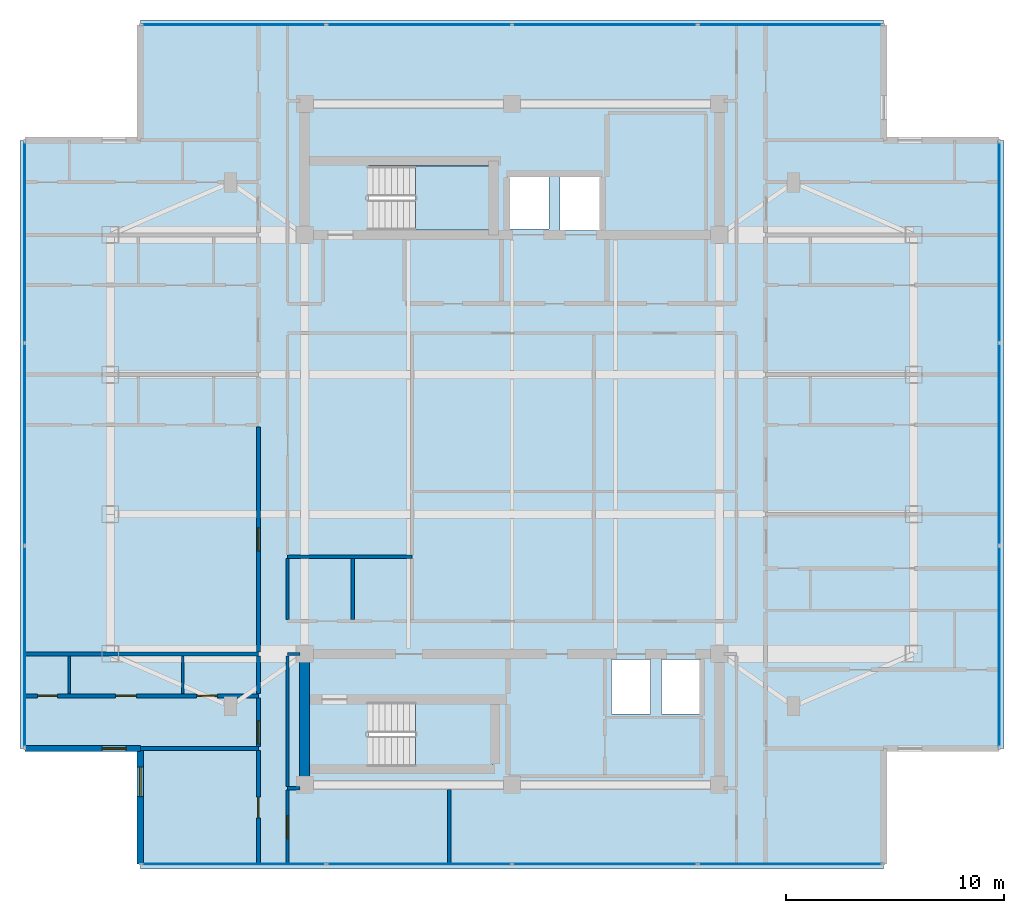
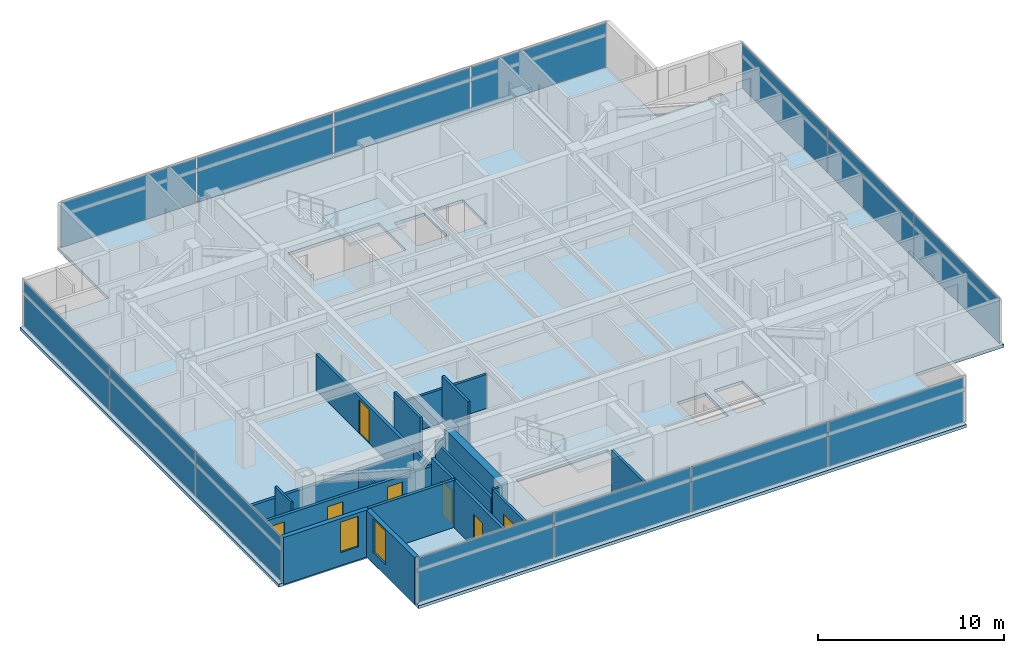
# One storey, part 7 of 14: 20 walls, 14 plates, 7 doors, 3 slabs, 2 windows, 9 openings, 6 elements without a shape of their own.
"""IFC4 building model written with IfcOpenShell, lengths in metres."""

from ifc_helpers import new_model, si_unit, direction, frame, frame_2d, origin, origin_2d, place, context, subcontext, project, spatial, polyline, rectangle, outline, extrude, material, layer, layer_set, type_object, element, fill, aggregate, save


model = new_model("IFC4")

# Units and contexts
model_context = context("Model", 3, precision=1e-05, world=origin(), true_north=direction((0.0, 1.0)))
body_context = subcontext(model_context, "Body", "Model", "MODEL_VIEW")
ifc_project = project(units=[si_unit("LENGTHUNIT", "METRE"), si_unit("AREAUNIT", "SQUARE_METRE"), si_unit("VOLUMEUNIT", "CUBIC_METRE"), si_unit("PLANEANGLEUNIT", "RADIAN"), si_unit("MASSUNIT", "GRAM", prefix="KILO")], contexts=[model_context])

# Site, building, storey
site_placement = place(None, origin())
site = spatial("IfcSite", under=ifc_project, at=site_placement, CompositionType="ELEMENT")
building_placement = place(site_placement, origin())
building = spatial("IfcBuilding", under=site, at=building_placement, Name="Mirazonda Arch Towers", CompositionType="ELEMENT")
storey_placement = place(building_placement, frame((0.0, 0.0, 245.800048828125)))
storey = spatial("IfcBuildingStorey", under=building, at=storey_placement, Name="L70", CompositionType="ELEMENT", Elevation=245.800048828125)

# Curtain wall, plates
ifc_material_1 = material(Name="Anodised Aluminium and Low-E Glass", Category="aluminium")
curtain_wall_type = type_object("IfcCurtainWallType", Name="CW-RES-UNIT", PredefinedType="NOTDEFINED", material=ifc_material_1)
curtain_wall_1_placement = place(storey_placement, origin())
curtain_wall_1 = element("IfcCurtainWall", 1, at=curtain_wall_1_placement, inside=storey, type_object=curtain_wall_type, Name="L70 T1 S Facade CW-L70-T1-S", PredefinedType="NOTDEFINED")
ifc_material_2 = material(Name="Insulated Low-E Solar Glass", Category="glass")
ifc_layer_1 = layer(ifc_material_2, 0.0400390625, Name="PAN-CW-RES-UNIT")
ifc_layer_set_1 = layer_set([ifc_layer_1], Name="Insulated Low-E Solar Glass")
plate_type = type_object("IfcPlateType", Name="PAN-CW-RES-UNIT", PredefinedType="CURTAIN_PANEL", material=ifc_layer_set_1)
plate_1_placement = place(storey_placement, frame((33.253662109375, 8.77587890625, 0.0751953125), z_axis=(0.0, 0.0, 1.0), x_axis=(-1.0, 0.0, 0.0)))
plate_1 = element("IfcPlate", 2, at=plate_1_placement, type_object=plate_type, Name="CW-104 panel 1.1", PredefinedType="CURTAIN_PANEL", context=body_context, shape_type="SweptSolid", body=[
    extrude(rectangle(XDim=8.402587890625, YDim=0.0400390625, at=origin_2d()), origin(), (0.0, 0.0, 1.0), 2.929931640625),
])
plate_2_placement = place(storey_placement, frame((24.757568359375, 8.77587890625, 0.0751953125), z_axis=(0.0, 0.0, 1.0), x_axis=(-1.0, 0.0, 0.0)))
plate_2 = element("IfcPlate", 3, at=plate_2_placement, type_object=plate_type, Name="CW-104 panel 2.1", PredefinedType="CURTAIN_PANEL", context=body_context, shape_type="SweptSolid", body=[
    extrude(rectangle(XDim=8.43994140625, YDim=0.0400390625, at=origin_2d()), origin(), (0.0, 0.0, 1.0), 2.929931640625),
])
plate_3_placement = place(storey_placement, frame((16.242431640625, 8.77587890625, 0.0751953125), z_axis=(0.0, 0.0, 1.0), x_axis=(-1.0, 0.0, 0.0)))
plate_3 = element("IfcPlate", 4, at=plate_3_placement, type_object=plate_type, Name="CW-104 panel 3.1", PredefinedType="CURTAIN_PANEL", context=body_context, shape_type="SweptSolid", body=[
    extrude(rectangle(XDim=8.43994140625, YDim=0.0400390625, at=origin_2d()), origin(), (0.0, 0.0, 1.0), 2.929931640625),
])
plate_4_placement = place(storey_placement, frame((7.746337890625, 8.77587890625, 0.0751953125), z_axis=(0.0, 0.0, 1.0), x_axis=(-1.0, 0.0, 0.0)))
plate_4 = element("IfcPlate", 5, at=plate_4_placement, type_object=plate_type, Name="CW-104 panel 4.1", PredefinedType="CURTAIN_PANEL", context=body_context, shape_type="SweptSolid", body=[
    extrude(rectangle(XDim=8.402587890625, YDim=0.0400390625, at=origin_2d()), origin(), (0.0, 0.0, 1.0), 2.929931640625),
])
aggregate(curtain_wall_1, [plate_1, plate_2, plate_3, plate_4])

curtain_wall_2_placement = place(storey_placement, origin())
curtain_wall_2 = element("IfcCurtainWall", 6, at=curtain_wall_2_placement, inside=storey, type_object=curtain_wall_type, Name="L70 T1 E Facade CW-L70-T1-E", PredefinedType="NOTDEFINED")
plate_5_placement = place(storey_placement, frame((42.820068359375, 18.7294921875, 0.0751953125), z_axis=(0.0, 0.0, 1.0), x_axis=(0.0, 1.0, 0.0)))
plate_5 = element("IfcPlate", 7, at=plate_5_placement, type_object=plate_type, Name="CW-104 panel 1.1", PredefinedType="CURTAIN_PANEL", context=body_context, shape_type="SweptSolid", body=[
    extrude(rectangle(XDim=9.1767578125, YDim=0.0400390625, at=origin_2d()), origin(), (0.0, 0.0, 1.0), 2.929931640625),
])
plate_6_placement = place(storey_placement, frame((42.820068359375, 28.0, 0.0751953125), z_axis=(0.0, 0.0, 1.0), x_axis=(0.0, 1.0, 0.0)))
plate_6 = element("IfcPlate", 8, at=plate_6_placement, type_object=plate_type, Name="CW-104 panel 2.1", PredefinedType="CURTAIN_PANEL", context=body_context, shape_type="SweptSolid", body=[
    extrude(rectangle(XDim=9.21435546875, YDim=0.0400390625, at=origin_2d()), origin(), (0.0, 0.0, 1.0), 2.929931640625),
])
plate_7_placement = place(storey_placement, frame((42.820068359375, 37.2705078125, 0.0751953125), z_axis=(0.0, 0.0, 1.0), x_axis=(0.0, 1.0, 0.0)))
plate_7 = element("IfcPlate", 9, at=plate_7_placement, type_object=plate_type, Name="CW-104 panel 3.1", PredefinedType="CURTAIN_PANEL", context=body_context, shape_type="SweptSolid", body=[
    extrude(rectangle(XDim=9.1767578125, YDim=0.0400390625, at=origin_2d()), origin(), (0.0, 0.0, 1.0), 2.929931640625),
])
aggregate(curtain_wall_2, [plate_5, plate_6, plate_7])

curtain_wall_3_placement = place(storey_placement, origin())
curtain_wall_3 = element("IfcCurtainWall", 10, at=curtain_wall_3_placement, inside=storey, type_object=curtain_wall_type, Name="L70 T1 N Facade CW-L70-T1-N", PredefinedType="NOTDEFINED")
plate_8_placement = place(storey_placement, frame((7.746337890625, 47.22412109375, 0.0751953125), z_axis=(0.0, 0.0, 1.0), x_axis=(1.0, 0.0, 0.0)))
plate_8 = element("IfcPlate", 11, at=plate_8_placement, type_object=plate_type, Name="CW-104 panel 1.1", PredefinedType="CURTAIN_PANEL", context=body_context, shape_type="SweptSolid", body=[
    extrude(rectangle(XDim=8.402587890625, YDim=0.0400390625, at=origin_2d()), origin(), (0.0, 0.0, 1.0), 2.929931640625),
])
plate_9_placement = place(storey_placement, frame((16.242431640625, 47.22412109375, 0.0751953125), z_axis=(0.0, 0.0, 1.0), x_axis=(1.0, 0.0, 0.0)))
plate_9 = element("IfcPlate", 12, at=plate_9_placement, type_object=plate_type, Name="CW-104 panel 2.1", PredefinedType="CURTAIN_PANEL", context=body_context, shape_type="SweptSolid", body=[
    extrude(rectangle(XDim=8.43994140625, YDim=0.0400390625, at=origin_2d()), origin(), (0.0, 0.0, 1.0), 2.929931640625),
])
plate_10_placement = place(storey_placement, frame((24.757568359375, 47.22412109375, 0.0751953125), z_axis=(0.0, 0.0, 1.0), x_axis=(1.0, 0.0, 0.0)))
plate_10 = element("IfcPlate", 13, at=plate_10_placement, type_object=plate_type, Name="CW-104 panel 3.1", PredefinedType="CURTAIN_PANEL", context=body_context, shape_type="SweptSolid", body=[
    extrude(rectangle(XDim=8.43994140625, YDim=0.0400390625, at=origin_2d()), origin(), (0.0, 0.0, 1.0), 2.929931640625),
])
plate_11_placement = place(storey_placement, frame((33.253662109375, 47.22412109375, 0.0751953125), z_axis=(0.0, 0.0, 1.0), x_axis=(1.0, 0.0, 0.0)))
plate_11 = element("IfcPlate", 14, at=plate_11_placement, type_object=plate_type, Name="CW-104 panel 4.1", PredefinedType="CURTAIN_PANEL", context=body_context, shape_type="SweptSolid", body=[
    extrude(rectangle(XDim=8.402587890625, YDim=0.0400390625, at=origin_2d()), origin(), (0.0, 0.0, 1.0), 2.929931640625),
])
aggregate(curtain_wall_3, [plate_8, plate_9, plate_10, plate_11])

curtain_wall_4_placement = place(storey_placement, origin())
curtain_wall_4 = element("IfcCurtainWall", 15, at=curtain_wall_4_placement, inside=storey, type_object=curtain_wall_type, Name="L70 T1 W Facade CW-L70-T1-W", PredefinedType="NOTDEFINED")
plate_12_placement = place(storey_placement, frame((-1.820068359375, 37.2705078125, 0.0751953125), z_axis=(0.0, 0.0, 1.0), x_axis=(0.0, -1.0, 0.0)))
plate_12 = element("IfcPlate", 16, at=plate_12_placement, type_object=plate_type, Name="CW-104 panel 1.1", PredefinedType="CURTAIN_PANEL", context=body_context, shape_type="SweptSolid", body=[
    extrude(rectangle(XDim=9.1767578125, YDim=0.0400390625, at=origin_2d()), origin(), (0.0, 0.0, 1.0), 2.929931640625),
])
plate_13_placement = place(storey_placement, frame((-1.820068359375, 28.0, 0.0751953125), z_axis=(0.0, 0.0, 1.0), x_axis=(0.0, -1.0, 0.0)))
plate_13 = element("IfcPlate", 17, at=plate_13_placement, type_object=plate_type, Name="CW-104 panel 2.1", PredefinedType="CURTAIN_PANEL", context=body_context, shape_type="SweptSolid", body=[
    extrude(rectangle(XDim=9.21435546875, YDim=0.0400390625, at=origin_2d()), origin(), (0.0, 0.0, 1.0), 2.929931640625),
])
plate_14_placement = place(storey_placement, frame((-1.820068359375, 18.7294921875, 0.0751953125), z_axis=(0.0, 0.0, 1.0), x_axis=(0.0, -1.0, 0.0)))
plate_14 = element("IfcPlate", 18, at=plate_14_placement, type_object=plate_type, Name="CW-104 panel 3.1", PredefinedType="CURTAIN_PANEL", context=body_context, shape_type="SweptSolid", body=[
    extrude(rectangle(XDim=9.1767578125, YDim=0.0400390625, at=origin_2d()), origin(), (0.0, 0.0, 1.0), 2.929931640625),
])
aggregate(curtain_wall_4, [plate_12, plate_13, plate_14])

# Stair, slab
ifc_material_3 = material(Name="Concrete C40/50", Category="concrete")
stair_type = type_object("IfcStairType", Name="STAIR-CORE-1400", PredefinedType="HALF_TURN_STAIR", material=ifc_material_3)
stair_1_placement = place(storey_placement, origin())
stair_1 = element("IfcStair", 19, at=stair_1_placement, inside=storey, type_object=stair_type, Name="L70 Protected Exit Stair ST-T1N", PredefinedType="HALF_TURN_STAIR")
ifc_layer_2 = layer(ifc_material_3, 0.18994140625, Name="SLAB-LANDING-190")
ifc_layer_set_2 = layer_set([ifc_layer_2], Name="Concrete C40/50")
slab_type_1 = type_object("IfcSlabType", Name="SLAB-LANDING-190", PredefinedType="LANDING", material=ifc_layer_set_2)
slab_1_placement = place(storey_placement, frame((0.0, 0.0, 1.449951171875)))
slab_1 = element("IfcSlab", 20, at=slab_1_placement, type_object=slab_type_1, Name="ST-T1N landing 1", PredefinedType="LANDING", context=body_context, shape_type="SweptSolid", body=[
    extrude(outline(polyline([(16.090087890625, 37.820068359375), (19.60009765625, 37.820068359375), (19.60009765625, 40.760009765625), (16.090087890625, 40.760009765625), (16.090087890625, 37.820068359375)])), origin(), (0.0, 0.0, 1.0), 0.199951171875),
])
aggregate(stair_1, [slab_1])

stair_2_placement = place(storey_placement, origin())
stair_2 = element("IfcStair", 21, at=stair_2_placement, inside=storey, type_object=stair_type, Name="L70 Protected Exit Stair ST-T1S", PredefinedType="HALF_TURN_STAIR")
slab_2_placement = place(storey_placement, frame((0.0, 0.0, 1.449951171875)))
slab_2 = element("IfcSlab", 22, at=slab_2_placement, type_object=slab_type_1, Name="ST-T1S landing 1", PredefinedType="LANDING", context=body_context, shape_type="SweptSolid", body=[
    extrude(outline(polyline([(16.090087890625, 13.25), (19.60009765625, 13.25), (19.60009765625, 16.18994140625), (16.090087890625, 16.18994140625), (16.090087890625, 13.25)])), origin(), (0.0, 0.0, 1.0), 0.199951171875),
])
aggregate(stair_2, [slab_2])

# Slab
ifc_layer_3 = layer(ifc_material_3, 0.199951171875, Name="SLAB-TWR-200")
ifc_layer_set_3 = layer_set([ifc_layer_3], Name="Concrete C40/50")
slab_type_2 = type_object("IfcSlabType", Name="SLAB-TWR-200", PredefinedType="FLOOR", material=ifc_layer_set_3)
slab_3_placement = place(storey_placement, frame((0.0, 0.0, -0.199951171875)))
element("IfcSlab", 23, at=slab_3_placement, inside=storey, type_object=slab_type_2, Name="L70 Tower 1 Floor Slab", PredefinedType="FLOOR", context=body_context, shape_type="SweptSolid", body=[
    extrude(outline(polyline([(3.469970703125, 8.555908203125), (37.530029296875, 8.555908203125), (37.530029296875, 14.06591796875), (43.0400390625, 14.06591796875), (43.0400390625, 41.93408203125), (37.530029296875, 41.93408203125), (37.530029296875, 47.444091796875), (3.469970703125, 47.444091796875), (3.469970703125, 41.93408203125), (-2.0400390625, 41.93408203125), (-2.0400390625, 14.06591796875), (3.469970703125, 14.06591796875), (3.469970703125, 8.555908203125)]), holes=[polyline([(27.360107421875, 18.139892578125), (29.139892578125, 18.139892578125), (29.139892578125, 15.659912109375), (27.360107421875, 15.659912109375), (27.360107421875, 18.139892578125)]), polyline([(25.06005859375, 18.139892578125), (26.840087890625, 18.139892578125), (26.840087890625, 15.659912109375), (25.06005859375, 15.659912109375), (25.06005859375, 18.139892578125)]), polyline([(22.7099609375, 40.389892578125), (24.590087890625, 40.389892578125), (24.590087890625, 37.81005859375), (22.7099609375, 37.81005859375), (22.7099609375, 40.389892578125)]), polyline([(20.31005859375, 37.860107421875), (20.31005859375, 40.340087890625), (22.18994140625, 40.340087890625), (22.18994140625, 37.860107421875), (20.31005859375, 37.860107421875)]), polyline([(19.60009765625, 13.25), (13.925048828125, 13.25), (13.925048828125, 16.18994140625), (19.60009765625, 16.18994140625), (19.60009765625, 13.25)]), polyline([(13.925048828125, 37.820068359375), (13.925048828125, 40.760009765625), (19.60009765625, 40.760009765625), (19.60009765625, 37.820068359375), (13.925048828125, 37.820068359375)])]), origin(), (0.0, 0.0, 1.0), 0.199951171875),
])

# Wall
ifc_material_4 = material(Name="Concrete C50/60", Category="concrete")
ifc_layer_4 = layer(ifc_material_4, 0.449951171875, Name="WALL-CORE-450")
ifc_layer_set_4 = layer_set([ifc_layer_4], Name="Concrete C50/60")
wall_type_1 = type_object("IfcWallType", Name="WALL-CORE-450", PredefinedType="SHEAR", material=ifc_layer_set_4)
wall_1_placement = place(storey_placement, frame((11.0, 12.39990234375, 0.0), z_axis=(0.0, 0.0, 1.0), x_axis=(0.0, 1.0, 0.0)))
element("IfcWall", 24, at=wall_1_placement, inside=storey, type_object=wall_type_1, Name="L70 T1S-W Core Shear Wall", PredefinedType="SHEAR", context=body_context, shape_type="SweptSolid", body=[
    extrude(rectangle(XDim=6.0, YDim=0.449951171875, at=frame_2d((3.0, 0.0))), origin(), (0.0, 0.0, 1.0), 3.099853515625),
])

# Wall, opening, window
ifc_material_5 = material(Name="Precast Concrete C40/50", Category="concrete")
ifc_layer_5 = layer(ifc_material_5, 0.280029296875, Name="WALL-EXT-WALL-280")
ifc_layer_set_5 = layer_set([ifc_layer_5], Name="Precast Concrete C40/50")
wall_type_2 = type_object("IfcWallType", Name="WALL-EXT-WALL-280", PredefinedType="SOLIDWALL", material=ifc_layer_set_5)
wall_2_placement = place(storey_placement, frame((3.469970703125, 14.06591796875, 0.0), z_axis=(0.0, 0.0, 1.0), x_axis=(0.0, -1.0, 0.0)))
wall_2 = element("IfcWall", 25, at=wall_2_placement, inside=storey, type_object=wall_type_2, Name="L70 T1 Notched SW Corner Wall WL-L70-T1-CSW", PredefinedType="SOLIDWALL", context=body_context, shape_type="SweptSolid", body=[
    extrude(rectangle(XDim=5.2900390625, YDim=0.280029296875, at=frame_2d((2.64501953125, 0.0))), origin(), (0.0, 0.0, 1.0), 3.079833984375),
])
opening_1_placement = place(wall_2_placement, frame((0.85009765625, 0.0, 0.72998046875)))
opening_1 = element("IfcOpeningElement", 26, at=opening_1_placement, cuts=wall_2, Name="Opening WN-104", PredefinedType="OPENING", context=body_context, shape_type="SweptSolid", body=[
    extrude(rectangle(XDim=1.35009765625, YDim=2.199951171875, at=frame_2d((0.675048828125, 1.10009765625))), frame((0.0, 0.14990234375, 0.0), z_axis=(0.0, -1.0, 0.0), x_axis=(1.0, 0.0, 0.0)), (0.0, 0.0, 1.0), 0.300048828125),
])
window_type_1 = type_object("IfcWindowType", Name="WIN-RES-1350x2200", PartitioningType="SINGLE_PANEL", PredefinedType="WINDOW", material=ifc_material_2)
window_1_placement = place(opening_1_placement, origin())
window_1 = element("IfcWindow", 27, at=window_1_placement, inside=storey, type_object=window_type_1, Name="L70 Punched Facade Window WN-L70-T1-CSW", OverallHeight=2.199951171875, OverallWidth=1.35009765625, PartitioningType="SINGLE_PANEL", PredefinedType="WINDOW", context=body_context, shape_type="SweptSolid", body=[
    extrude(rectangle(XDim=1.35009765625, YDim=2.199951171875, at=frame_2d((0.675048828125, 1.10009765625))), frame((0.0, 0.030029296875, 0.0), z_axis=(0.0, -1.0, 0.0), x_axis=(1.0, 0.0, 0.0)), (0.0, 0.0, 1.0), 0.06005859375),
])
fill(opening_1, window_1)

wall_3_placement = place(storey_placement, frame((-1.820068359375, 14.06591796875, 0.0), z_axis=(0.0, 0.0, 1.0), x_axis=(1.0, 0.0, 0.0)))
wall_3 = element("IfcWall", 28, at=wall_3_placement, inside=storey, type_object=wall_type_2, Name="L70 T1 Corner Notch Return Wall WL-L70-T1-CSW2", PredefinedType="SOLIDWALL", context=body_context, shape_type="SweptSolid", body=[
    extrude(rectangle(XDim=5.2900390625, YDim=0.280029296875, at=frame_2d((2.64501953125, 0.0))), origin(), (0.0, 0.0, 1.0), 3.079833984375),
])
opening_2_placement = place(wall_3_placement, frame((3.5400390625, 0.0, 0.85009765625)))
opening_2 = element("IfcOpeningElement", 29, at=opening_2_placement, cuts=wall_3, Name="Opening WN-108", PredefinedType="OPENING", context=body_context, shape_type="SweptSolid", body=[
    extrude(rectangle(XDim=1.10009765625, YDim=2.0, at=frame_2d((0.550048828125, 1.0))), frame((0.0, 0.14990234375, 0.0), z_axis=(0.0, -1.0, 0.0), x_axis=(1.0, 0.0, 0.0)), (0.0, 0.0, 1.0), 0.300048828125),
])
window_type_2 = type_object("IfcWindowType", Name="WIN-NOTCH-1100x2000", PartitioningType="SINGLE_PANEL", PredefinedType="WINDOW", material=ifc_material_2)
window_2_placement = place(opening_2_placement, origin())
window_2 = element("IfcWindow", 30, at=window_2_placement, inside=storey, type_object=window_type_2, Name="L70 Punched Facade Window WN-L70-T1-CSW2", OverallHeight=2.0, OverallWidth=1.10009765625, PartitioningType="SINGLE_PANEL", PredefinedType="WINDOW", context=body_context, shape_type="SweptSolid", body=[
    extrude(rectangle(XDim=1.10009765625, YDim=2.0, at=frame_2d((0.550048828125, 1.0))), frame((0.0, 0.030029296875, 0.0), z_axis=(0.0, -1.0, 0.0), x_axis=(1.0, 0.0, 0.0)), (0.0, 0.0, 1.0), 0.06005859375),
])
fill(opening_2, window_2)

# Walls
ifc_material_6 = material(Name="Fire-Rated Gypsum Stud Partition")
ifc_layer_6 = layer(ifc_material_6, 0.14990234375, Name="WALL-PART-CORR-150")
ifc_layer_set_6 = layer_set([ifc_layer_6], Name="Fire-Rated Gypsum Stud Partition")
wall_type_3 = type_object("IfcWallType", Name="WALL-PART-CORR-150", PredefinedType="PARTITIONING", material=ifc_layer_set_6)
wall_4_placement = place(storey_placement, frame((10.219970703125, 12.25, 0.0), z_axis=(0.0, 0.0, 1.0), x_axis=(1.0, 0.0, 0.0)))
element("IfcWall", 31, at=wall_4_placement, inside=storey, type_object=wall_type_3, Name="L70 Interior Partition 001", PredefinedType="PARTITIONING", context=body_context, shape_type="SweptSolid", body=[
    extrude(rectangle(XDim=0.56005859375, YDim=0.14990234375, at=frame_2d((0.280029296875, 0.0))), origin(), (0.0, 0.0, 1.0), 3.099853515625),
])
wall_5_placement = place(storey_placement, frame((10.219970703125, 18.39990234375, 0.0), z_axis=(0.0, 0.0, 1.0), x_axis=(1.0, 0.0, 0.0)))
element("IfcWall", 32, at=wall_5_placement, inside=storey, type_object=wall_type_3, Name="L70 Interior Partition 012", PredefinedType="PARTITIONING", context=body_context, shape_type="SweptSolid", body=[
    extrude(rectangle(XDim=0.56005859375, YDim=0.14990234375, at=frame_2d((0.280029296875, 0.0))), origin(), (0.0, 0.0, 1.0), 2.491943359375),
])
wall_6_placement = place(storey_placement, frame((10.219970703125, 22.85009765625, 0.0), z_axis=(0.0, 0.0, 1.0), x_axis=(1.0, 0.0, 0.0)))
element("IfcWall", 33, at=wall_6_placement, inside=storey, type_object=wall_type_3, Name="L70 Interior Partition 017", PredefinedType="PARTITIONING", context=body_context, shape_type="SweptSolid", body=[
    extrude(rectangle(XDim=5.7099609375, YDim=0.14990234375, at=frame_2d((2.85498046875, 0.0))), origin(), (0.0, 0.0, 1.0), 2.23583984375),
])

# Wall, opening, door
wall_7_placement = place(storey_placement, frame((10.219970703125, 8.77587890625, 0.0), z_axis=(0.0, 0.0, 1.0), x_axis=(0.0, 1.0, 0.0)))
wall_7 = element("IfcWall", 34, at=wall_7_placement, inside=storey, type_object=wall_type_3, Name="L70 Interior Partition 057", PredefinedType="PARTITIONING", context=body_context, shape_type="SweptSolid", body=[
    extrude(rectangle(XDim=3.38916015625, YDim=0.14990234375, at=frame_2d((1.694580078125, 0.0))), origin(), (0.0, 0.0, 1.0), 3.099853515625),
])
opening_3_placement = place(wall_7_placement, frame((1.16943359375, 0.0, 0.0)))
opening_3 = element("IfcOpeningElement", 35, at=opening_3_placement, cuts=wall_7, Name="Opening DR-121", PredefinedType="OPENING", context=body_context, shape_type="SweptSolid", body=[
    extrude(rectangle(XDim=1.050048828125, YDim=2.199951171875, at=frame_2d((0.52490234375, 1.10009765625))), frame((0.0, 0.0849609375, 0.0), z_axis=(0.0, -1.0, 0.0), x_axis=(1.0, 0.0, 0.0)), (0.0, 0.0, 1.0), 0.169921875),
])
ifc_material_7 = material(Name="Architectural Brushed Steel S355", Category="steel")
door_type_1 = type_object("IfcDoorType", Name="DOOR-SUITE-FD60-1050", OperationType="NOTDEFINED", PredefinedType="DOOR", material=ifc_material_7)
door_1_placement = place(opening_3_placement, origin())
door_1 = element("IfcDoor", 36, at=door_1_placement, inside=storey, type_object=door_type_1, Name="L70 South Panoramic Study Minor Door", OperationType="SINGLE_SWING_RIGHT", OverallHeight=2.199951171875, OverallWidth=1.050048828125, PredefinedType="DOOR", context=body_context, shape_type="SweptSolid", body=[
    extrude(rectangle(XDim=1.050048828125, YDim=2.199951171875, at=frame_2d((0.52490234375, 1.10009765625))), frame((0.0, 0.02490234375, 0.0), z_axis=(0.0, -1.0, 0.0), x_axis=(1.0, 0.0, 0.0)), (0.0, 0.0, 1.0), 0.050048828125),
])
fill(opening_3, door_1)

# Walls
wall_8_placement = place(storey_placement, frame((10.219970703125, 12.3349609375, 0.0), z_axis=(0.0, 0.0, 1.0), x_axis=(0.0, 1.0, 0.0)))
element("IfcWall", 37, at=wall_8_placement, inside=storey, type_object=wall_type_3, Name="L70 Interior Partition 058", PredefinedType="PARTITIONING", context=body_context, shape_type="SweptSolid", body=[
    extrude(rectangle(XDim=5.97998046875, YDim=0.14990234375, at=frame_2d((2.989990234375, 0.0))), origin(), (0.0, 0.0, 1.0), 2.491943359375),
])
for number, where, z_axis, x_axis, name in (
    (38, (10.219970703125, 19.985107421875, 0.0), (0.0, 0.0, 1.0), (0.0, 1.0, 0.0), "L70 Interior Partition 059"),
    (39, (13.199951171875, 19.985107421875, 0.0), (0.0, 0.0, 1.0), (0.0, 1.0, 0.0), "L70 Interior Partition 064"),
):
    element("IfcWall", number, at=place(storey_placement, frame(where, z_axis=z_axis, x_axis=x_axis)), inside=storey, type_object=wall_type_3, Name=name, PredefinedType="PARTITIONING", context=body_context, shape_type="SweptSolid", body=[
        extrude(rectangle(XDim=2.77978515625, YDim=0.14990234375, at=frame_2d((1.389892578125, 0.0))), origin(), (0.0, 0.0, 1.0), 3.099853515625),
    ])
wall_9_placement = place(storey_placement, frame((17.6220703125, 8.77587890625, 0.0), z_axis=(0.0, 0.0, 1.0), x_axis=(0.0, 1.0, 0.0)))
element("IfcWall", 40, at=wall_9_placement, inside=storey, type_object=wall_type_3, Name="L70 Interior Partition 069", PredefinedType="PARTITIONING", context=body_context, shape_type="SweptSolid", body=[
    extrude(rectangle(XDim=3.404052734375, YDim=0.14990234375, at=frame_2d((1.7021484375, 0.0))), origin(), (0.0, 0.0, 1.0), 3.099853515625),
])
ifc_material_8 = material(Name="Fire-Rated Gypsum Twin-Stud Assembly")
ifc_layer_7 = layer(ifc_material_8, 0.179931640625, Name="WALL-PART-DEMISE-180")
ifc_layer_set_7 = layer_set([ifc_layer_7], Name="Fire-Rated Gypsum Twin-Stud Assembly")
wall_type_4 = type_object("IfcWallType", Name="WALL-PART-DEMISE-180", PredefinedType="PARTITIONING", material=ifc_layer_set_7)
wall_10_placement = place(storey_placement, frame((3.489990234375, 14.06591796875, 0.0), z_axis=(0.0, 0.0, 1.0), x_axis=(1.0, 0.0, 0.0)))
element("IfcWall", 41, at=wall_10_placement, inside=storey, type_object=wall_type_4, Name="L70 Interior Partition 005", PredefinedType="PARTITIONING", context=body_context, shape_type="SweptSolid", body=[
    extrude(rectangle(XDim=5.389892578125, YDim=0.179931640625, at=frame_2d((2.69482421875, 0.0))), origin(), (0.0, 0.0, 1.0), 3.099853515625),
])

# Wall, openings, doors
wall_11_placement = place(storey_placement, frame((-1.820068359375, 16.47998046875, 0.0), z_axis=(0.0, 0.0, 1.0), x_axis=(1.0, 0.0, 0.0)))
wall_11 = element("IfcWall", 42, at=wall_11_placement, inside=storey, type_object=wall_type_4, Name="L70 Interior Partition 009", PredefinedType="PARTITIONING", context=body_context, shape_type="SweptSolid", body=[
    extrude(rectangle(XDim=10.699951171875, YDim=0.179931640625, at=frame_2d((5.35009765625, 0.0))), origin(), (0.0, 0.0, 1.0), 2.54296875),
])
opening_4_placement = place(wall_11_placement, frame((4.1630859375, 0.0, 0.0)))
opening_4 = element("IfcOpeningElement", 43, at=opening_4_placement, cuts=wall_11, Name="Opening DR-104", PredefinedType="OPENING", context=body_context, shape_type="SweptSolid", body=[
    extrude(rectangle(XDim=0.949951171875, YDim=2.14990234375, at=frame_2d((0.47509765625, 1.074951171875))), frame((0.0, 0.099853515625, 0.0), z_axis=(0.0, -1.0, 0.0), x_axis=(1.0, 0.0, 0.0)), (0.0, 0.0, 1.0), 0.199951171875),
])
opening_5_placement = place(wall_11_placement, frame((7.873046875, 0.0, 0.0)))
opening_5 = element("IfcOpeningElement", 44, at=opening_5_placement, cuts=wall_11, Name="Opening DR-104", PredefinedType="OPENING", context=body_context, shape_type="SweptSolid", body=[
    extrude(rectangle(XDim=0.949951171875, YDim=2.14990234375, at=frame_2d((0.47509765625, 1.074951171875))), frame((0.0, 0.099853515625, 0.0), z_axis=(0.0, -1.0, 0.0), x_axis=(1.0, 0.0, 0.0)), (0.0, 0.0, 1.0), 0.199951171875),
])
opening_6_placement = place(wall_11_placement, frame((0.590087890625, 0.0, 0.0)))
opening_6 = element("IfcOpeningElement", 45, at=opening_6_placement, cuts=wall_11, Name="Opening DR-120", PredefinedType="OPENING", context=body_context, shape_type="SweptSolid", body=[
    extrude(rectangle(XDim=0.89990234375, YDim=2.10009765625, at=frame_2d((0.449951171875, 1.050048828125))), frame((0.0, 0.099853515625, 0.0), z_axis=(0.0, -1.0, 0.0), x_axis=(1.0, 0.0, 0.0)), (0.0, 0.0, 1.0), 0.199951171875),
])
door_type_2 = type_object("IfcDoorType", Name="DOOR-ROOM-950", OperationType="NOTDEFINED", PredefinedType="DOOR", material=ifc_material_7)
door_2_placement = place(opening_4_placement, origin())
door_2 = element("IfcDoor", 46, at=door_2_placement, inside=storey, type_object=door_type_2, Name="L70 Residence 1 Principal Bedroom Door", OperationType="SINGLE_SWING_RIGHT", OverallHeight=2.14990234375, OverallWidth=0.949951171875, PredefinedType="DOOR", context=body_context, shape_type="SweptSolid", body=[
    extrude(rectangle(XDim=0.949951171875, YDim=2.14990234375, at=frame_2d((0.47509765625, 1.074951171875))), frame((0.0, 0.02490234375, 0.0), z_axis=(0.0, -1.0, 0.0), x_axis=(1.0, 0.0, 0.0)), (0.0, 0.0, 1.0), 0.050048828125),
])
fill(opening_4, door_2)
door_3_placement = place(opening_5_placement, origin())
door_3 = element("IfcDoor", 47, at=door_3_placement, inside=storey, type_object=door_type_2, Name="L70 Residence 1 Fitted Kitchen Door", OperationType="SINGLE_SWING_LEFT", OverallHeight=2.14990234375, OverallWidth=0.949951171875, PredefinedType="DOOR", context=body_context, shape_type="SweptSolid", body=[
    extrude(rectangle(XDim=0.949951171875, YDim=2.14990234375, at=frame_2d((0.47509765625, 1.074951171875))), frame((0.0, 0.02490234375, 0.0), z_axis=(0.0, -1.0, 0.0), x_axis=(1.0, 0.0, 0.0)), (0.0, 0.0, 1.0), 0.050048828125),
])
fill(opening_5, door_3)
door_type_3 = type_object("IfcDoorType", Name="DOOR-WC-900", OperationType="NOTDEFINED", PredefinedType="DOOR", material=ifc_material_7)
door_4_placement = place(opening_6_placement, origin())
door_4 = element("IfcDoor", 48, at=door_4_placement, inside=storey, type_object=door_type_3, Name="L70 Residence 1 Bathroom Door", OperationType="SINGLE_SWING_RIGHT", OverallHeight=2.10009765625, OverallWidth=0.89990234375, PredefinedType="DOOR", context=body_context, shape_type="SweptSolid", body=[
    extrude(rectangle(XDim=0.89990234375, YDim=2.10009765625, at=frame_2d((0.449951171875, 1.050048828125))), frame((0.0, 0.02490234375, 0.0), z_axis=(0.0, -1.0, 0.0), x_axis=(1.0, 0.0, 0.0)), (0.0, 0.0, 1.0), 0.050048828125),
])
fill(opening_6, door_4)

# Wall
wall_12_placement = place(storey_placement, frame((-1.820068359375, 18.39990234375, 0.0), z_axis=(0.0, 0.0, 1.0), x_axis=(1.0, 0.0, 0.0)))
element("IfcWall", 49, at=wall_12_placement, inside=storey, type_object=wall_type_4, Name="L70 Interior Partition 011", PredefinedType="PARTITIONING", context=body_context, shape_type="SweptSolid", body=[
    extrude(rectangle(XDim=10.699951171875, YDim=0.179931640625, at=frame_2d((5.35009765625, 0.0))), origin(), (0.0, 0.0, 1.0), 2.31884765625),
])

# Wall, opening, door
wall_13_placement = place(storey_placement, frame((8.8798828125, 8.77587890625, 0.0), z_axis=(0.0, 0.0, 1.0), x_axis=(0.0, 1.0, 0.0)))
wall_13 = element("IfcWall", 50, at=wall_13_placement, inside=storey, type_object=wall_type_4, Name="L70 Interior Partition 047", PredefinedType="PARTITIONING", context=body_context, shape_type="SweptSolid", body=[
    extrude(rectangle(XDim=5.190185546875, YDim=0.179931640625, at=frame_2d((2.59521484375, 0.0))), origin(), (0.0, 0.0, 1.0), 3.099853515625),
])
opening_7_placement = place(wall_13_placement, frame((2.1201171875, 0.0, 0.0)))
opening_7 = element("IfcOpeningElement", 51, at=opening_7_placement, cuts=wall_13, Name="Opening DR-104", PredefinedType="OPENING", context=body_context, shape_type="SweptSolid", body=[
    extrude(rectangle(XDim=0.949951171875, YDim=2.14990234375, at=frame_2d((0.47509765625, 1.074951171875))), frame((0.0, 0.099853515625, 0.0), z_axis=(0.0, -1.0, 0.0), x_axis=(1.0, 0.0, 0.0)), (0.0, 0.0, 1.0), 0.199951171875),
])
door_5_placement = place(opening_7_placement, origin())
door_5 = element("IfcDoor", 52, at=door_5_placement, inside=storey, type_object=door_type_2, Name="L70 South Panoramic Study Alcove West Door", OperationType="SINGLE_SWING_RIGHT", OverallHeight=2.14990234375, OverallWidth=0.949951171875, PredefinedType="DOOR", context=body_context, shape_type="SweptSolid", body=[
    extrude(rectangle(XDim=0.949951171875, YDim=2.14990234375, at=frame_2d((0.47509765625, 1.074951171875))), frame((0.0, 0.02490234375, 0.0), z_axis=(0.0, -1.0, 0.0), x_axis=(1.0, 0.0, 0.0)), (0.0, 0.0, 1.0), 0.050048828125),
])
fill(opening_7, door_5)

wall_14_placement = place(storey_placement, frame((8.8798828125, 14.166015625, 0.0), z_axis=(0.0, 0.0, 1.0), x_axis=(0.0, 1.0, 0.0)))
wall_14 = element("IfcWall", 53, at=wall_14_placement, inside=storey, type_object=wall_type_4, Name="L70 Interior Partition 048", PredefinedType="PARTITIONING", context=body_context, shape_type="SweptSolid", body=[
    extrude(rectangle(XDim=2.2138671875, YDim=0.179931640625, at=frame_2d((1.10693359375, 0.0))), origin(), (0.0, 0.0, 1.0), 3.099853515625),
])
opening_8_placement = place(wall_14_placement, frame((0.1201171875, 0.0, 0.0)))
opening_8 = element("IfcOpeningElement", 54, at=opening_8_placement, cuts=wall_14, Name="Opening DR-121", PredefinedType="OPENING", context=body_context, shape_type="SweptSolid", body=[
    extrude(rectangle(XDim=1.050048828125, YDim=2.199951171875, at=frame_2d((0.52490234375, 1.10009765625))), frame((0.0, 0.099853515625, 0.0), z_axis=(0.0, -1.0, 0.0), x_axis=(1.0, 0.0, 0.0)), (0.0, 0.0, 1.0), 0.199951171875),
])
door_6_placement = place(opening_8_placement, origin())
door_6 = element("IfcDoor", 55, at=door_6_placement, inside=storey, type_object=door_type_1, Name="L70 Residence 1 Living & Dining Salon Door", OperationType="SINGLE_SWING_LEFT", OverallHeight=2.199951171875, OverallWidth=1.050048828125, PredefinedType="DOOR", context=body_context, shape_type="SweptSolid", body=[
    extrude(rectangle(XDim=1.050048828125, YDim=2.199951171875, at=frame_2d((0.52490234375, 1.10009765625))), frame((0.0, 0.02490234375, 0.0), z_axis=(0.0, -1.0, 0.0), x_axis=(1.0, 0.0, 0.0)), (0.0, 0.0, 1.0), 0.050048828125),
])
fill(opening_8, door_6)

# Wall
wall_15_placement = place(storey_placement, frame((8.8798828125, 16.580078125, 0.0), z_axis=(0.0, 0.0, 1.0), x_axis=(0.0, 1.0, 0.0)))
element("IfcWall", 56, at=wall_15_placement, inside=storey, type_object=wall_type_4, Name="L70 Interior Partition 049", PredefinedType="PARTITIONING", context=body_context, shape_type="SweptSolid", body=[
    extrude(rectangle(XDim=1.719970703125, YDim=0.179931640625, at=frame_2d((0.85986328125, 0.0))), origin(), (0.0, 0.0, 1.0), 2.491943359375),
])

# Wall, opening, door
wall_16_placement = place(storey_placement, frame((8.8798828125, 18.5, 0.0), z_axis=(0.0, 0.0, 1.0), x_axis=(0.0, 1.0, 0.0)))
wall_16 = element("IfcWall", 57, at=wall_16_placement, inside=storey, type_object=wall_type_4, Name="L70 Interior Partition 050", PredefinedType="PARTITIONING", context=body_context, shape_type="SweptSolid", body=[
    extrude(rectangle(XDim=10.300048828125, YDim=0.179931640625, at=frame_2d((5.14990234375, 0.0))), origin(), (0.0, 0.0, 1.0), 2.39599609375),
])
opening_9_placement = place(wall_16_placement, frame((4.625, 0.0, 0.0)))
opening_9 = element("IfcOpeningElement", 58, at=opening_9_placement, cuts=wall_16, Name="Opening DR-121", PredefinedType="OPENING", context=body_context, shape_type="SweptSolid", body=[
    extrude(rectangle(XDim=1.050048828125, YDim=2.199951171875, at=frame_2d((0.52490234375, 1.10009765625))), frame((0.0, 0.099853515625, 0.0), z_axis=(0.0, -1.0, 0.0), x_axis=(1.0, 0.0, 0.0)), (0.0, 0.0, 1.0), 0.199951171875),
])
door_7_placement = place(opening_9_placement, origin())
door_7 = element("IfcDoor", 59, at=door_7_placement, inside=storey, type_object=door_type_1, Name="L70 Penthouse Residence 2 Living & Dining Salon Door", OperationType="SINGLE_SWING_LEFT", OverallHeight=2.199951171875, OverallWidth=1.050048828125, PredefinedType="DOOR", context=body_context, shape_type="SweptSolid", body=[
    extrude(rectangle(XDim=1.050048828125, YDim=2.199951171875, at=frame_2d((0.52490234375, 1.10009765625))), frame((0.0, 0.02490234375, 0.0), z_axis=(0.0, -1.0, 0.0), x_axis=(1.0, 0.0, 0.0)), (0.0, 0.0, 1.0), 0.050048828125),
])
fill(opening_9, door_7)

# Walls
ifc_material_9 = material(Name="Acoustic Fire-Rated Gypsum Partition")
ifc_layer_8 = layer(ifc_material_9, 0.125, Name="WALL-PART-UNIT-125")
ifc_layer_set_8 = layer_set([ifc_layer_8], Name="Acoustic Fire-Rated Gypsum Partition")
wall_type_5 = type_object("IfcWallType", Name="WALL-PART-UNIT-125", PredefinedType="PARTITIONING", material=ifc_layer_set_8)
wall_17_placement = place(storey_placement, frame((0.219970703125, 16.580078125, 0.0), z_axis=(0.0, 0.0, 1.0), x_axis=(0.0, 1.0, 0.0)))
element("IfcWall", 60, at=wall_17_placement, inside=storey, type_object=wall_type_5, Name="L70 Interior Partition 039", PredefinedType="PARTITIONING", context=body_context, shape_type="SweptSolid", body=[
    extrude(rectangle(XDim=1.719970703125, YDim=0.125, at=frame_2d((0.85986328125, 0.0))), origin(), (0.0, 0.0, 1.0), 3.099853515625),
])
wall_18_placement = place(storey_placement, frame((5.416015625, 16.580078125, 0.0), z_axis=(0.0, 0.0, 1.0), x_axis=(0.0, 1.0, 0.0)))
element("IfcWall", 61, at=wall_18_placement, inside=storey, type_object=wall_type_5, Name="L70 Interior Partition 043", PredefinedType="PARTITIONING", context=body_context, shape_type="SweptSolid", body=[
    extrude(rectangle(XDim=1.719970703125, YDim=0.125, at=frame_2d((0.85986328125, 0.0))), origin(), (0.0, 0.0, 1.0), 2.491943359375),
])

save(model, "model.ifc")
